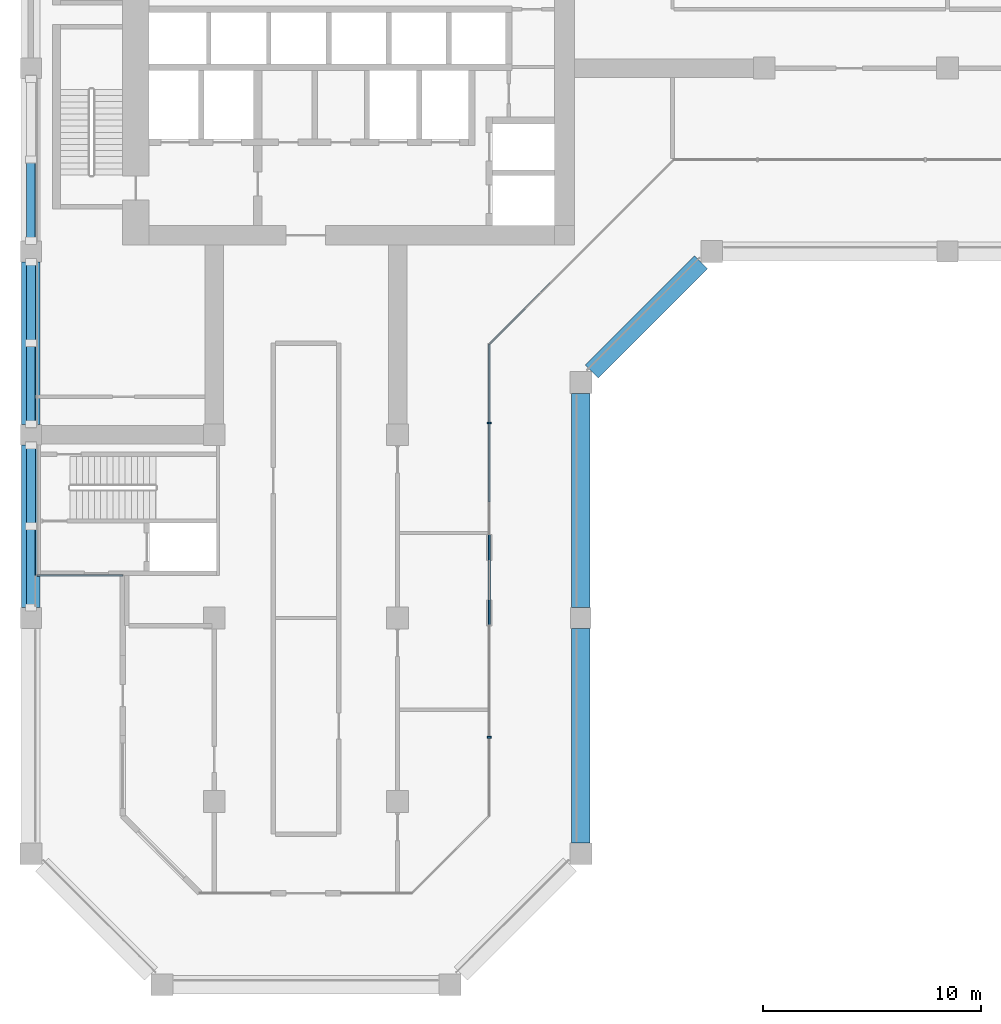
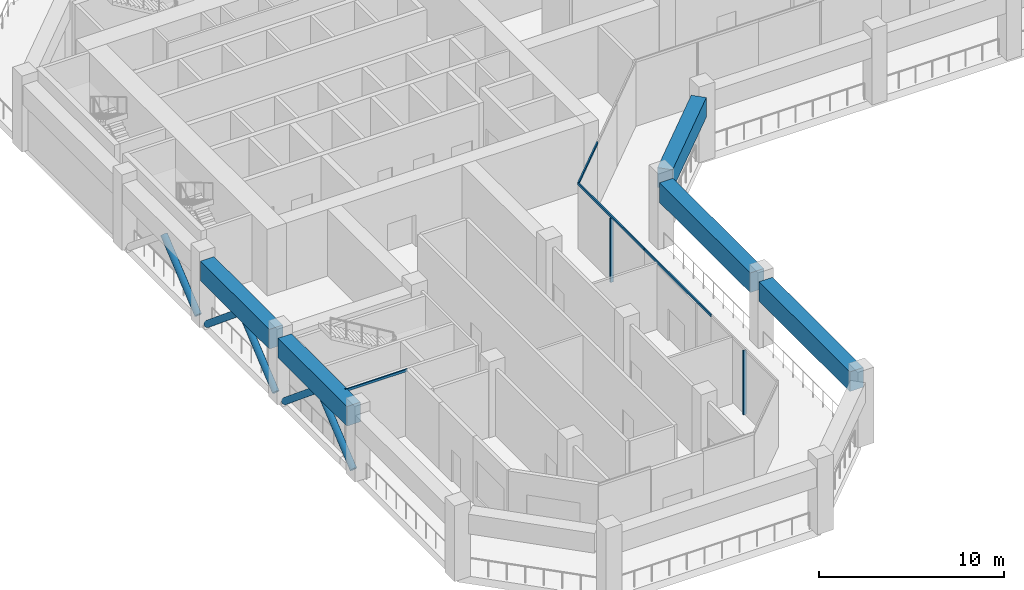
# One storey, part 2 of 19: 11 members, 5 beams, 3 elements without a shape of their own.
"""IFC4 building model written with IfcOpenShell, lengths in metres."""

from ifc_helpers import new_model, si_unit, direction, frame, origin, origin_2d, place, context, subcontext, project, spatial, rectangle, hollow_circle, extrude, material, layer, layer_set, material_profile, profile_set, type_object, element, aggregate, save


model = new_model("IFC4")

# Units and contexts
model_context = context("Model", 3, precision=1e-05, world=origin(), true_north=direction((0.0, 1.0)))
body_context = subcontext(model_context, "Body", "Model", "MODEL_VIEW")
ifc_project = project(units=[si_unit("LENGTHUNIT", "METRE"), si_unit("AREAUNIT", "SQUARE_METRE"), si_unit("VOLUMEUNIT", "CUBIC_METRE"), si_unit("PLANEANGLEUNIT", "RADIAN"), si_unit("MASSUNIT", "GRAM", prefix="KILO")], contexts=[model_context])

# Site, building, storey
site_placement = place(None, origin())
site = spatial("IfcSite", under=ifc_project, at=site_placement, CompositionType="ELEMENT")
building_placement = place(site_placement, origin())
building = spatial("IfcBuilding", under=site, at=building_placement, Name="Kawkab Arch Medical Tower", CompositionType="ELEMENT")
storey_placement = place(building_placement, frame((0.0, 0.0, 153.39990234375)))
storey = spatial("IfcBuildingStorey", under=building, at=storey_placement, Name="L35", CompositionType="ELEMENT", Elevation=153.39990234375)

# Members
ifc_material_1 = material(Name="Steel S355", Category="steel")
ifc_material_profile_1 = material_profile(ifc_material_1, hollow_circle(Radius=0.203125, WallThickness=0.02001953125, at=origin_2d()), Name="CHS 406.4x20")
ifc_profile_set_1 = profile_set([ifc_material_profile_1], Name="Steel S355")
member_type_1 = type_object("IfcMemberType", Name="CHS 406.4x20 belt truss brace S355", PredefinedType="BRACE", material=ifc_profile_set_1)
for number, where, z_axis, x_axis, name in (
    (1, (0.0, -41.509521484375, 0.10498046875), (0.0, 0.769737883363, 0.638360079357), (-1.0, 0.0, 0.0), "Belt truss brace L35-W04A"),
    (2, (0.0, -34.09033203125, 0.10498046875), (0.0, -0.769737883363, 0.638360079357), (1.0, 0.0, 0.0), "Belt truss brace L35-W04B"),
    (3, (0.0, -33.109619140625, 0.10498046875), (0.0, 0.769737883363, 0.638360079357), (-1.0, 0.0, 0.0), "Belt truss brace L35-W05A"),
    (4, (0.0, -25.6904296875, 0.10498046875), (0.0, -0.769737883363, 0.638360079357), (1.0, 0.0, 0.0), "Belt truss brace L35-W05B"),
    (5, (0.0, -24.709716796875, 0.10498046875), (0.0, 0.769737883363, 0.638360079357), (-1.0, 0.0, 0.0), "Belt truss brace L35-W06A"),
):
    element("IfcMember", number, at=place(storey_placement, frame(where, z_axis=z_axis, x_axis=x_axis)), inside=storey, type_object=member_type_1, Name=name, PredefinedType="BRACE", context=body_context, shape_type="SweptSolid", body=[
        extrude(hollow_circle(Radius=0.203125, WallThickness=0.02001953125, at=origin_2d()), origin(), (0.0, 0.0, 1.0), 4.809326171875),
    ])

# Curtain wall, members
ifc_material_2 = material(Name="Bronze anodised aluminium curtain wall frame", Category="aluminium")
ifc_layer = layer(ifc_material_2, 0.159912109375)
ifc_layer_set = layer_set([ifc_layer], Name="Bronze anodised aluminium curtain wall frame")
curtain_wall_type = type_object("IfcCurtainWallType", Name="CW4 refuge floor fire-protected glazing", PredefinedType="NOTDEFINED", material=ifc_layer_set)
placement = place(storey_placement, origin())
curtain_wall_1 = element("IfcCurtainWall", 6, at=placement, inside=storey, type_object=curtain_wall_type, Name="CW4 Refuge floor fire-protected glazing R09", PredefinedType="NOTDEFINED")
ifc_material_3 = material(Name="Bronze anodised aluminium curtain wall frame", Category="aluminium")
ifc_material_profile_2 = material_profile(ifc_material_3, rectangle(XDim=0.199951171875, YDim=0.080078125, at=origin_2d()), Name="AL 80x200")
ifc_profile_set_2 = profile_set([ifc_material_profile_2], Name="Bronze anodised aluminium curtain wall frame")
member_type_2 = type_object("IfcMemberType", Name="CW4 mullion 80 x 200", PredefinedType="MULLION", material=ifc_profile_set_2)
member_1_placement = place(storey_placement, frame((21.0, -47.4599609375, 0.0), z_axis=(0.0, 0.0, 1.0), x_axis=(-1.0, 0.0, 0.0)))
member_1 = element("IfcMember", 7, at=member_1_placement, type_object=member_type_2, Name="CW4 mullion 1.1", PredefinedType="MULLION", context=body_context, shape_type="SweptSolid", body=[
    extrude(rectangle(XDim=0.199951171875, YDim=0.080078125, at=origin_2d()), origin(), (0.0, 0.0, 1.0), 4.239990234375),
])
member_2_placement = place(storey_placement, frame((21.0, -33.06005859375, 0.0), z_axis=(0.0, 0.0, 1.0), x_axis=(-1.0, 0.0, 0.0)))
member_2 = element("IfcMember", 8, at=member_2_placement, type_object=member_type_2, Name="CW4 mullion 3.1", PredefinedType="MULLION", context=body_context, shape_type="SweptSolid", body=[
    extrude(rectangle(XDim=0.199951171875, YDim=0.080078125, at=origin_2d()), origin(), (0.0, 0.0, 1.0), 4.239990234375),
])

# Curtain wall, member
curtain_wall_2 = element("IfcCurtainWall", 9, at=placement, inside=storey, type_object=curtain_wall_type, Name="CW4 Refuge floor fire-protected glazing R04", PredefinedType="NOTDEFINED")
ifc_material_4 = material(Name="Bronze anodised aluminium curtain wall frame", Category="aluminium")
ifc_material_profile_3 = material_profile(ifc_material_4, rectangle(XDim=0.080078125, YDim=0.159912109375, at=origin_2d()), Name="AL 80x160")
ifc_profile_set_3 = profile_set([ifc_material_profile_3], Name="Bronze anodised aluminium curtain wall frame")
member_type_3 = type_object("IfcMemberType", Name="CW4 transom 160 x 80", PredefinedType="USERDEFINED", material=ifc_profile_set_3)
member_3_placement = place(storey_placement, frame((0.300048828125, -40.050048828125, 4.320068359375), z_axis=(1.0, 0.0, 0.0), x_axis=(0.0, 1.0, 0.0)))
member_3 = element("IfcMember", 10, at=member_3_placement, type_object=member_type_3, Name="CW4 transom 1", ObjectType="TRANSOM", PredefinedType="USERDEFINED", context=body_context, shape_type="SweptSolid", body=[
    extrude(rectangle(XDim=0.080078125, YDim=0.159912109375, at=origin_2d()), origin(), (0.0, 0.0, 1.0), 3.89990234375),
])
aggregate(curtain_wall_2, [member_3])

# Member
member_4_placement = place(storey_placement, frame((21.0, -43.860107421875, 4.320068359375), z_axis=(0.0, 1.0, 0.0), x_axis=(-1.0, 0.0, 0.0)))
member_4 = element("IfcMember", 11, at=member_4_placement, type_object=member_type_3, Name="CW4 transom 2", ObjectType="TRANSOM", PredefinedType="USERDEFINED", context=body_context, shape_type="SweptSolid", body=[
    extrude(rectangle(XDim=0.080078125, YDim=0.159912109375, at=origin_2d()), origin(), (0.0, 0.0, 1.0), 7.2001953125),
])

member_5_placement = place(storey_placement, frame((21.0, -36.659912109375, 4.320068359375), z_axis=(0.0, 1.0, 0.0), x_axis=(-1.0, 0.0, 0.0)))
member_5 = element("IfcMember", 12, at=member_5_placement, type_object=member_type_3, Name="CW4 transom 3", ObjectType="TRANSOM", PredefinedType="USERDEFINED", context=body_context, shape_type="SweptSolid", body=[
    extrude(rectangle(XDim=0.080078125, YDim=0.159912109375, at=origin_2d()), origin(), (0.0, 0.0, 1.0), 7.199951171875),
])

aggregate(curtain_wall_1, [member_1, member_4, member_5, member_2])

# Curtain wall, member
curtain_wall_3 = element("IfcCurtainWall", 13, at=placement, inside=storey, type_object=curtain_wall_type, Name="CW4 Refuge floor fire-protected glazing R10", PredefinedType="NOTDEFINED")
member_6_placement = place(storey_placement, frame((21.0, -29.4599609375, 4.320068359375), z_axis=(0.707106781187, 0.707106781187, 0.0), x_axis=(-0.707106781187, 0.707106781187, 0.0)))
member_6 = element("IfcMember", 14, at=member_6_placement, type_object=member_type_3, Name="CW4 transom 1", ObjectType="TRANSOM", PredefinedType="USERDEFINED", context=body_context, shape_type="SweptSolid", body=[
    extrude(rectangle(XDim=0.080078125, YDim=0.159912109375, at=origin_2d()), origin(), (0.0, 0.0, 1.0), 3.98828125),
])
aggregate(curtain_wall_3, [member_6])

# Beams
ifc_material_5 = material(Name="Concrete C50/60", Category="concrete")
ifc_material_profile_4 = material_profile(ifc_material_5, rectangle(XDim=0.85009765625, YDim=1.300048828125, at=origin_2d()), Name="RC 850x1300")
ifc_profile_set_4 = profile_set([ifc_material_profile_4], Name="Concrete C50/60")
beam_type = type_object("IfcBeamType", Name="RC 850x1300 beam C50/60", PredefinedType="SPANDREL", material=ifc_profile_set_4)
beam_placement = place(storey_placement, frame((30.699951171875, -25.699951171875, 3.75), z_axis=(-0.707106781187, -0.707106781187, 0.0), x_axis=(0.707106781187, -0.707106781187, 0.0)))
element("IfcBeam", 15, at=beam_placement, inside=storey, type_object=beam_type, Name="Belt beam L35-19", PredefinedType="SPANDREL", context=body_context, shape_type="SweptSolid", body=[
    extrude(rectangle(XDim=0.85009765625, YDim=1.300048828125, at=origin_2d()), origin(), (0.0, 0.0, 1.0), 7.071044921875),
])
for number, where, z_axis, x_axis, name in (
    (16, (25.199951171875, -31.699951171875, 3.75), (0.0, -1.0, 0.0), (1.0, 0.0, 0.0), "Belt beam L35-20"),
    (17, (25.199951171875, -42.47509765625, 3.75), (0.0, -1.0, 0.0), (1.0, 0.0, 0.0), "Belt beam L35-21"),
):
    element("IfcBeam", number, at=place(storey_placement, frame(where, z_axis=z_axis, x_axis=x_axis)), inside=storey, type_object=beam_type, Name=name, PredefinedType="SPANDREL", context=body_context, shape_type="SweptSolid", body=[
        extrude(rectangle(XDim=0.85009765625, YDim=1.300048828125, at=origin_2d()), origin(), (0.0, 0.0, 1.0), 9.824951171875),
    ])
for number, where, z_axis, x_axis, name in (
    (18, (0.0, -41.52490234375, 3.75), (0.0, 1.0, 0.0), (-1.0, 0.0, 0.0), "Belt beam L35-26"),
    (19, (0.0, -33.125, 3.75), (0.0, 1.0, 0.0), (-1.0, 0.0, 0.0), "Belt beam L35-27"),
):
    element("IfcBeam", number, at=place(storey_placement, frame(where, z_axis=z_axis, x_axis=x_axis)), inside=storey, type_object=beam_type, Name=name, PredefinedType="SPANDREL", context=body_context, shape_type="SweptSolid", body=[
        extrude(rectangle(XDim=0.85009765625, YDim=1.300048828125, at=origin_2d()), origin(), (0.0, 0.0, 1.0), 7.449951171875),
    ])

save(model, "model.ifc")
